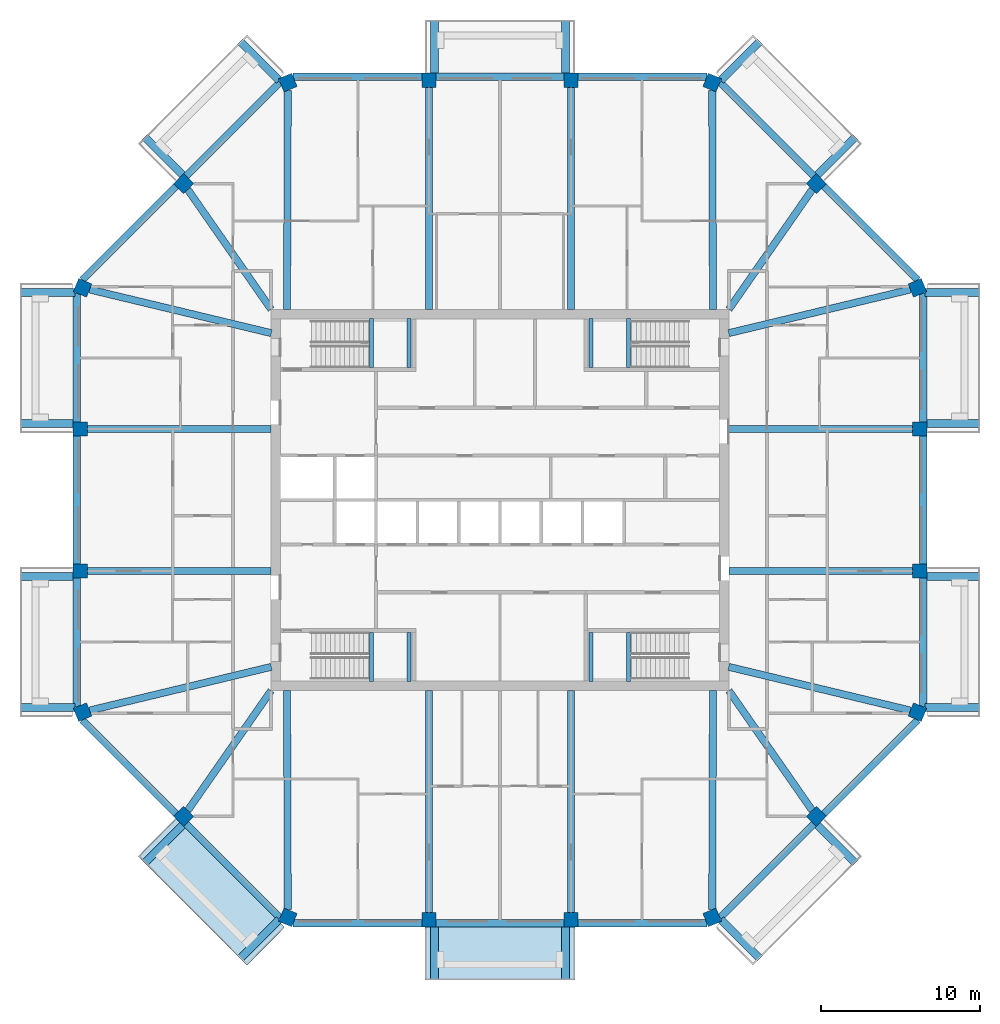
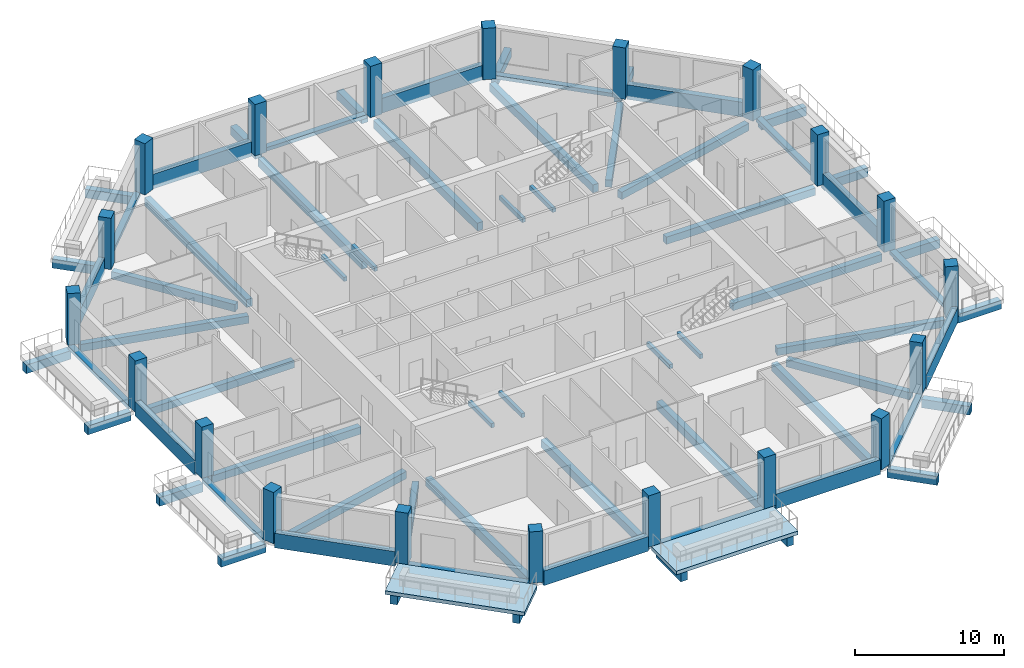
# One storey, part 1 of 12: 68 beams, 20 columns, 2 slabs.
"""IFC4 building model written with IfcOpenShell, lengths in metres."""

from ifc_helpers import new_model, si_unit, direction, frame, origin, origin_2d, place, context, subcontext, project, spatial, polyline, rectangle, outline, extrude, material, layer, layer_set, material_profile, profile_set, type_object, element, save


model = new_model("IFC4")

# Units and contexts
model_context = context("Model", 3, precision=1e-05, world=origin(), true_north=direction((0.0, 1.0)))
body_context = subcontext(model_context, "Body", "Model", "MODEL_VIEW")
ifc_project = project(units=[si_unit("LENGTHUNIT", "METRE"), si_unit("AREAUNIT", "SQUARE_METRE"), si_unit("VOLUMEUNIT", "CUBIC_METRE"), si_unit("PLANEANGLEUNIT", "RADIAN"), si_unit("MASSUNIT", "GRAM", prefix="KILO")], contexts=[model_context])

# Site, building, storey
site_placement = place(None, origin())
site = spatial("IfcSite", under=ifc_project, at=site_placement, CompositionType="ELEMENT")
building_placement = place(site_placement, origin())
building = spatial("IfcBuilding", under=site, at=building_placement, Name="Msitu Wima Residences", CompositionType="ELEMENT")
storey_placement = place(building_placement, frame((0.0, 0.0, 239.10009765625)))
storey = spatial("IfcBuildingStorey", under=building, at=storey_placement, Name="L55", CompositionType="ELEMENT", Elevation=239.10009765625)

# Columns
ifc_material_1 = material(Name="Concrete C50/60", Category="concrete")
ifc_material_profile_1 = material_profile(ifc_material_1, rectangle(XDim=0.89990234375, YDim=0.89990234375, at=origin_2d()), Name="RC 900x900")
ifc_profile_set_1 = profile_set([ifc_material_profile_1], Name="Concrete C50/60")
column_type = type_object("IfcColumnType", Name="Column RC 900x900 Concrete C50/60", PredefinedType="COLUMN", material=ifc_profile_set_1)
for number, where, z_axis, x_axis, name in (
    (1, (26.261962890625, -13.3486328125, 0.0), (0.0, 0.0, 1.0), (0.382683496864, 0.923879505795, 0.0), "Column L55 C-E0"),
    (2, (26.39990234375, -4.46875, 0.0), (0.0, 0.0, 1.0), (0.0, 1.0, 0.0), "Column L55 C-E1"),
    (3, (26.39990234375, 4.46875, 0.0), (0.0, 0.0, 1.0), (0.0, 1.0, 0.0), "Column L55 C-E2"),
    (4, (26.261962890625, 13.3486328125, 0.0), (0.0, 0.0, 1.0), (-0.382683496864, 0.923879505795, 0.0), "Column L55 C-NE0"),
    (5, (19.90283203125, 19.90283203125, 0.0), (0.0, 0.0, 1.0), (-0.707106781187, 0.707106781187, 0.0), "Column L55 C-NE1"),
    (6, (13.3486328125, 26.261962890625, 0.0), (0.0, 0.0, 1.0), (-0.923879505795, 0.382683496864, 0.0), "Column L55 C-N0"),
    (7, (4.46875, 26.39990234375, 0.0), (0.0, 0.0, 1.0), (-1.0, 0.0, 0.0), "Column L55 C-N1"),
    (8, (-4.46875, 26.39990234375, 0.0), (0.0, 0.0, 1.0), (-1.0, 0.0, 0.0), "Column L55 C-N2"),
    (9, (-13.3486328125, 26.261962890625, 0.0), (0.0, 0.0, 1.0), (-0.923879505795, -0.382683496864, 0.0), "Column L55 C-NW0"),
    (10, (-19.90283203125, 19.90283203125, 0.0), (0.0, 0.0, 1.0), (-0.707106781187, -0.707106781187, 0.0), "Column L55 C-NW1"),
    (11, (-26.261962890625, 13.3486328125, 0.0), (0.0, 0.0, 1.0), (-0.382683496864, -0.923879505795, 0.0), "Column L55 C-W0"),
    (12, (-26.39990234375, 4.46875, 0.0), (0.0, 0.0, 1.0), (0.0, -1.0, 0.0), "Column L55 C-W1"),
    (13, (-26.39990234375, -4.46875, 0.0), (0.0, 0.0, 1.0), (0.0, -1.0, 0.0), "Column L55 C-W2"),
    (14, (-26.261962890625, -13.3486328125, 0.0), (0.0, 0.0, 1.0), (0.382683496864, -0.923879505795, 0.0), "Column L55 C-SW0"),
    (15, (-19.90283203125, -19.90283203125, 0.0), (0.0, 0.0, 1.0), (0.707106781187, -0.707106781187, 0.0), "Column L55 C-SW1"),
    (16, (-13.3486328125, -26.261962890625, 0.0), (0.0, 0.0, 1.0), (0.923879505795, -0.382683496864, 0.0), "Column L55 C-S0"),
    (17, (-4.46875, -26.39990234375, 0.0), (0.0, 0.0, 1.0), (1.0, 0.0, 0.0), "Column L55 C-S1"),
    (18, (4.46875, -26.39990234375, 0.0), (0.0, 0.0, 1.0), (1.0, 0.0, 0.0), "Column L55 C-S2"),
    (19, (13.3486328125, -26.261962890625, 0.0), (0.0, 0.0, 1.0), (0.923879505795, 0.382683496864, 0.0), "Column L55 C-SE0"),
    (20, (19.90283203125, -19.90283203125, 0.0), (0.0, 0.0, 1.0), (0.707106781187, 0.707106781187, 0.0), "Column L55 C-SE1"),
):
    element("IfcColumn", number, at=place(storey_placement, frame(where, z_axis=z_axis, x_axis=x_axis)), inside=storey, type_object=column_type, Name=name, PredefinedType="COLUMN", context=body_context, shape_type="SweptSolid", body=[
        extrude(rectangle(XDim=0.89990234375, YDim=0.89990234375, at=origin_2d()), origin(), (0.0, 0.0, 1.0), 4.199951171875),
    ])

# Beams
ifc_material_profile_2 = material_profile(ifc_material_1, rectangle(XDim=0.449951171875, YDim=0.60009765625, at=origin_2d()), Name="RC 450x600")
ifc_profile_set_2 = profile_set([ifc_material_profile_2], Name="Concrete C50/60")
beam_type_1 = type_object("IfcBeamType", Name="Beam RC 450x600 Concrete C50/60", PredefinedType="BEAM", material=ifc_profile_set_2)
beam_1_placement = place(storey_placement, frame((25.819091796875, -13.242431640625, -0.550048828125), z_axis=(-0.972353359268, 0.233514335148, 0.0), x_axis=(-0.233514335148, -0.972353359268, 0.0)))
element("IfcBeam", 21, at=beam_1_placement, inside=storey, type_object=beam_type_1, Name="Beam L55 C-E0", PredefinedType="BEAM", context=body_context, shape_type="SweptSolid", body=[
    extrude(rectangle(XDim=0.449951171875, YDim=0.60009765625, at=origin_2d()), origin(), (0.0, 0.0, 1.0), 11.755615234375),
])
for number, where, z_axis, x_axis, name in (
    (22, (25.949951171875, -4.46875, -0.550048828125), (-1.0, 0.0, 0.0), (0.0, -1.0, 0.0), "Beam L55 C-E1"),
    (23, (25.949951171875, 4.46875, -0.550048828125), (-1.0, 0.0, 0.0), (0.0, -1.0, 0.0), "Beam L55 C-E2"),
):
    element("IfcBeam", number, at=place(storey_placement, frame(where, z_axis=z_axis, x_axis=x_axis)), inside=storey, type_object=beam_type_1, Name=name, PredefinedType="BEAM", context=body_context, shape_type="SweptSolid", body=[
        extrude(rectangle(XDim=0.449951171875, YDim=0.60009765625, at=origin_2d()), origin(), (0.0, 0.0, 1.0), 11.550048828125),
    ])
beam_2_placement = place(storey_placement, frame((25.819091796875, 13.242431640625, -0.550048828125), z_axis=(-0.972353359268, -0.233514335148, 0.0), x_axis=(0.233514335148, -0.972353359268, 0.0)))
element("IfcBeam", 24, at=beam_2_placement, inside=storey, type_object=beam_type_1, Name="Beam L55 C-NE0", PredefinedType="BEAM", context=body_context, shape_type="SweptSolid", body=[
    extrude(rectangle(XDim=0.449951171875, YDim=0.60009765625, at=origin_2d()), origin(), (0.0, 0.0, 1.0), 11.755615234375),
])
for number, where, z_axis, x_axis, name in (
    (25, (19.6416015625, 19.52783203125, -0.550048828125), (-0.571427822633, -0.820652328042, 0.0), (0.820652328042, -0.571427822633, 0.0), "Beam L55 C-NE1"),
    (26, (-19.6416015625, 19.52783203125, -0.550048828125), (0.571427822633, -0.820652328042, 0.0), (0.820652328042, 0.571427822633, 0.0), "Beam L55 C-NW1"),
):
    element("IfcBeam", number, at=place(storey_placement, frame(where, z_axis=z_axis, x_axis=x_axis)), inside=storey, type_object=beam_type_1, Name=name, PredefinedType="BEAM", context=body_context, shape_type="SweptSolid", body=[
        extrude(rectangle(XDim=0.449951171875, YDim=0.60009765625, at=origin_2d()), origin(), (0.0, 0.0, 1.0), 9.173095703125),
    ])
beam_3_placement = place(storey_placement, frame((-25.819091796875, 13.242431640625, -0.550048828125), z_axis=(0.972353359268, -0.233514335148, 0.0), x_axis=(0.233514335148, 0.972353359268, 0.0)))
element("IfcBeam", 27, at=beam_3_placement, inside=storey, type_object=beam_type_1, Name="Beam L55 C-W0", PredefinedType="BEAM", context=body_context, shape_type="SweptSolid", body=[
    extrude(rectangle(XDim=0.449951171875, YDim=0.60009765625, at=origin_2d()), origin(), (0.0, 0.0, 1.0), 11.755615234375),
])
for number, where, z_axis, x_axis, name in (
    (28, (-25.949951171875, 4.46875, -0.550048828125), (1.0, 0.0, 0.0), (0.0, 1.0, 0.0), "Beam L55 C-W1"),
    (29, (-25.949951171875, -4.46875, -0.550048828125), (1.0, 0.0, 0.0), (0.0, 1.0, 0.0), "Beam L55 C-W2"),
):
    element("IfcBeam", number, at=place(storey_placement, frame(where, z_axis=z_axis, x_axis=x_axis)), inside=storey, type_object=beam_type_1, Name=name, PredefinedType="BEAM", context=body_context, shape_type="SweptSolid", body=[
        extrude(rectangle(XDim=0.449951171875, YDim=0.60009765625, at=origin_2d()), origin(), (0.0, 0.0, 1.0), 11.550048828125),
    ])
beam_4_placement = place(storey_placement, frame((-25.819091796875, -13.242431640625, -0.550048828125), z_axis=(0.972353359268, 0.233514335148, 0.0), x_axis=(-0.233514335148, 0.972353359268, 0.0)))
element("IfcBeam", 30, at=beam_4_placement, inside=storey, type_object=beam_type_1, Name="Beam L55 C-SW0", PredefinedType="BEAM", context=body_context, shape_type="SweptSolid", body=[
    extrude(rectangle(XDim=0.449951171875, YDim=0.60009765625, at=origin_2d()), origin(), (0.0, 0.0, 1.0), 11.755615234375),
])
for number, where, z_axis, x_axis, name in (
    (31, (-19.6416015625, -19.52783203125, -0.550048828125), (0.571427822633, 0.820652328042, 0.0), (-0.820652328042, 0.571427822633, 0.0), "Beam L55 C-SW1"),
    (32, (19.6416015625, -19.52783203125, -0.550048828125), (-0.571427822633, 0.820652328042, 0.0), (-0.820652328042, -0.571427822633, 0.0), "Beam L55 C-SE1"),
):
    element("IfcBeam", number, at=place(storey_placement, frame(where, z_axis=z_axis, x_axis=x_axis)), inside=storey, type_object=beam_type_1, Name=name, PredefinedType="BEAM", context=body_context, shape_type="SweptSolid", body=[
        extrude(rectangle(XDim=0.449951171875, YDim=0.60009765625, at=origin_2d()), origin(), (0.0, 0.0, 1.0), 9.173095703125),
    ])
ifc_material_profile_3 = material_profile(ifc_material_1, rectangle(XDim=0.449951171875, YDim=0.64990234375, at=origin_2d()), Name="RC 450x650")
ifc_profile_set_3 = profile_set([ifc_material_profile_3], Name="Concrete C50/60")
beam_type_2 = type_object("IfcBeamType", Name="Beam RC 450x650 Concrete C50/60", PredefinedType="BEAM", material=ifc_profile_set_3)
beam_5_placement = place(storey_placement, frame((13.3505859375, 25.774169921875, -0.5751953125), z_axis=(0.003594933206, -0.999993538207, 0.0), x_axis=(0.999993538207, 0.003594933206, 0.0)))
element("IfcBeam", 33, at=beam_5_placement, inside=storey, type_object=beam_type_2, Name="Beam L55 C-N0", PredefinedType="BEAM", context=body_context, shape_type="SweptSolid", body=[
    extrude(rectangle(XDim=0.449951171875, YDim=0.64990234375, at=origin_2d()), origin(), (0.0, 0.0, 1.0), 13.7861328125),
])
for number, where, z_axis, x_axis, name in (
    (34, (4.46875, 25.949951171875, -0.5751953125), (0.0, -1.0, 0.0), (1.0, 0.0, 0.0), "Beam L55 C-N1"),
    (35, (-4.46875, 25.949951171875, -0.5751953125), (0.0, -1.0, 0.0), (1.0, 0.0, 0.0), "Beam L55 C-N2"),
):
    element("IfcBeam", number, at=place(storey_placement, frame(where, z_axis=z_axis, x_axis=x_axis)), inside=storey, type_object=beam_type_2, Name=name, PredefinedType="BEAM", context=body_context, shape_type="SweptSolid", body=[
        extrude(rectangle(XDim=0.449951171875, YDim=0.64990234375, at=origin_2d()), origin(), (0.0, 0.0, 1.0), 13.949951171875),
    ])
for number, where, z_axis, x_axis, name in (
    (36, (-13.3505859375, 25.774169921875, -0.5751953125), (-0.003594933206, -0.999993538207, 0.0), (0.999993538207, -0.003594933206, 0.0), "Beam L55 C-NW0"),
    (37, (-13.3505859375, -25.774169921875, -0.5751953125), (-0.003594933206, 0.999993538207, 0.0), (-0.999993538207, -0.003594933206, 0.0), "Beam L55 C-S0"),
):
    element("IfcBeam", number, at=place(storey_placement, frame(where, z_axis=z_axis, x_axis=x_axis)), inside=storey, type_object=beam_type_2, Name=name, PredefinedType="BEAM", context=body_context, shape_type="SweptSolid", body=[
        extrude(rectangle(XDim=0.449951171875, YDim=0.64990234375, at=origin_2d()), origin(), (0.0, 0.0, 1.0), 13.7861328125),
    ])
for number, where, z_axis, x_axis, name in (
    (38, (-4.46875, -25.949951171875, -0.5751953125), (0.0, 1.0, 0.0), (-1.0, 0.0, 0.0), "Beam L55 C-S1"),
    (39, (4.46875, -25.949951171875, -0.5751953125), (0.0, 1.0, 0.0), (-1.0, 0.0, 0.0), "Beam L55 C-S2"),
):
    element("IfcBeam", number, at=place(storey_placement, frame(where, z_axis=z_axis, x_axis=x_axis)), inside=storey, type_object=beam_type_2, Name=name, PredefinedType="BEAM", context=body_context, shape_type="SweptSolid", body=[
        extrude(rectangle(XDim=0.449951171875, YDim=0.64990234375, at=origin_2d()), origin(), (0.0, 0.0, 1.0), 13.949951171875),
    ])
beam_6_placement = place(storey_placement, frame((13.3505859375, -25.774169921875, -0.5751953125), z_axis=(0.003594933206, 0.999993538207, 0.0), x_axis=(-0.999993538207, 0.003594933206, 0.0)))
element("IfcBeam", 40, at=beam_6_placement, inside=storey, type_object=beam_type_2, Name="Beam L55 C-SE0", PredefinedType="BEAM", context=body_context, shape_type="SweptSolid", body=[
    extrude(rectangle(XDim=0.449951171875, YDim=0.64990234375, at=origin_2d()), origin(), (0.0, 0.0, 1.0), 13.7861328125),
])
ifc_material_profile_4 = material_profile(ifc_material_1, rectangle(XDim=0.5, YDim=0.699951171875, at=origin_2d()), Name="RC 500x700")
ifc_profile_set_4 = profile_set([ifc_material_profile_4], Name="Concrete C50/60")
beam_type_3 = type_object("IfcBeamType", Name="Cantilever beam RC 500x700 Concrete C50/60", PredefinedType="BEAM", material=ifc_profile_set_4)
beam_7_placement = place(storey_placement, frame((26.73095703125, -13.055908203125, -0.650146484375), z_axis=(1.0, 0.0, 0.0), x_axis=(0.0, 1.0, 0.0)))
element("IfcBeam", 41, at=beam_7_placement, inside=storey, type_object=beam_type_3, Name="Cantilever beam L55 BA-E0 A", PredefinedType="BEAM", context=body_context, shape_type="SweptSolid", body=[
    extrude(rectangle(XDim=0.5, YDim=0.699951171875, at=origin_2d()), origin(), (0.0, 0.0, 1.0), 3.468994140625),
])
for number, where, z_axis, x_axis, name in (
    (42, (26.85009765625, -4.818603515625, -0.650146484375), (1.0, 0.0, 0.0), (0.0, 1.0, 0.0), "Cantilever beam L55 BA-E0 B"),
    (43, (26.85009765625, 4.818603515625, -0.650146484375), (1.0, 0.0, 0.0), (0.0, 1.0, 0.0), "Cantilever beam L55 BA-E2 A"),
):
    element("IfcBeam", number, at=place(storey_placement, frame(where, z_axis=z_axis, x_axis=x_axis)), inside=storey, type_object=beam_type_3, Name=name, PredefinedType="BEAM", context=body_context, shape_type="SweptSolid", body=[
        extrude(rectangle(XDim=0.5, YDim=0.699951171875, at=origin_2d()), origin(), (0.0, 0.0, 1.0), 3.349853515625),
    ])
beam_8_placement = place(storey_placement, frame((26.73095703125, 13.055908203125, -0.650146484375), z_axis=(1.0, 0.0, 0.0), x_axis=(0.0, 1.0, 0.0)))
element("IfcBeam", 44, at=beam_8_placement, inside=storey, type_object=beam_type_3, Name="Cantilever beam L55 BA-E2 B", PredefinedType="BEAM", context=body_context, shape_type="SweptSolid", body=[
    extrude(rectangle(XDim=0.5, YDim=0.699951171875, at=origin_2d()), origin(), (0.0, 0.0, 1.0), 3.468994140625),
])
beam_9_placement = place(storey_placement, frame((19.9736328125, 20.46875, -0.650146484375), z_axis=(0.707143219659, 0.707070340836, 0.0), x_axis=(-0.707070340836, 0.707143219659, 0.0)))
element("IfcBeam", 45, at=beam_9_placement, inside=storey, type_object=beam_type_3, Name="Cantilever beam L55 BA-NE1 A", PredefinedType="BEAM", context=body_context, shape_type="SweptSolid", body=[
    extrude(rectangle(XDim=0.5, YDim=0.699951171875, at=origin_2d()), origin(), (0.0, 0.0, 1.0), 3.349853515625),
])
beam_10_placement = place(storey_placement, frame((13.887451171875, 26.386474609375, -0.650146484375), z_axis=(0.707071592116, 0.707141968506, 0.0), x_axis=(-0.707141968506, 0.707071592116, 0.0)))
element("IfcBeam", 46, at=beam_10_placement, inside=storey, type_object=beam_type_3, Name="Cantilever beam L55 BA-NE1 B", PredefinedType="BEAM", context=body_context, shape_type="SweptSolid", body=[
    extrude(rectangle(XDim=0.5, YDim=0.699951171875, at=origin_2d()), origin(), (0.0, 0.0, 1.0), 3.468994140625),
])
for number, where, z_axis, x_axis, name in (
    (47, (4.11865234375, 26.85009765625, -0.650146484375), (0.0, 1.0, 0.0), (-1.0, 0.0, 0.0), "Cantilever beam L55 BA-N1 A"),
    (48, (-4.11865234375, 26.85009765625, -0.650146484375), (0.0, 1.0, 0.0), (-1.0, 0.0, 0.0), "Cantilever beam L55 BA-N1 B"),
):
    element("IfcBeam", number, at=place(storey_placement, frame(where, z_axis=z_axis, x_axis=x_axis)), inside=storey, type_object=beam_type_3, Name=name, PredefinedType="BEAM", context=body_context, shape_type="SweptSolid", body=[
        extrude(rectangle(XDim=0.5, YDim=0.699951171875, at=origin_2d()), origin(), (0.0, 0.0, 1.0), 3.349853515625),
    ])
beam_11_placement = place(storey_placement, frame((-13.887451171875, 26.386474609375, -0.650146484375), z_axis=(-0.707071592116, 0.707141968506, 0.0), x_axis=(-0.707141968506, -0.707071592116, 0.0)))
element("IfcBeam", 49, at=beam_11_placement, inside=storey, type_object=beam_type_3, Name="Cantilever beam L55 BA-NW0 A", PredefinedType="BEAM", context=body_context, shape_type="SweptSolid", body=[
    extrude(rectangle(XDim=0.5, YDim=0.699951171875, at=origin_2d()), origin(), (0.0, 0.0, 1.0), 3.468994140625),
])
beam_12_placement = place(storey_placement, frame((-19.9736328125, 20.46875, -0.650146484375), z_axis=(-0.707143219659, 0.707070340836, 0.0), x_axis=(-0.707070340836, -0.707143219659, 0.0)))
element("IfcBeam", 50, at=beam_12_placement, inside=storey, type_object=beam_type_3, Name="Cantilever beam L55 BA-NW0 B", PredefinedType="BEAM", context=body_context, shape_type="SweptSolid", body=[
    extrude(rectangle(XDim=0.5, YDim=0.699951171875, at=origin_2d()), origin(), (0.0, 0.0, 1.0), 3.349853515625),
])
beam_13_placement = place(storey_placement, frame((-26.73095703125, 13.055908203125, -0.650146484375), z_axis=(-1.0, 0.0, 0.0), x_axis=(0.0, -1.0, 0.0)))
element("IfcBeam", 51, at=beam_13_placement, inside=storey, type_object=beam_type_3, Name="Cantilever beam L55 BA-W0 A", PredefinedType="BEAM", context=body_context, shape_type="SweptSolid", body=[
    extrude(rectangle(XDim=0.5, YDim=0.699951171875, at=origin_2d()), origin(), (0.0, 0.0, 1.0), 3.468994140625),
])
for number, where, z_axis, x_axis, name in (
    (52, (-26.85009765625, 4.818603515625, -0.650146484375), (-1.0, 0.0, 0.0), (0.0, -1.0, 0.0), "Cantilever beam L55 BA-W0 B"),
    (53, (-26.85009765625, -4.818603515625, -0.650146484375), (-1.0, 0.0, 0.0), (0.0, -1.0, 0.0), "Cantilever beam L55 BA-W2 A"),
):
    element("IfcBeam", number, at=place(storey_placement, frame(where, z_axis=z_axis, x_axis=x_axis)), inside=storey, type_object=beam_type_3, Name=name, PredefinedType="BEAM", context=body_context, shape_type="SweptSolid", body=[
        extrude(rectangle(XDim=0.5, YDim=0.699951171875, at=origin_2d()), origin(), (0.0, 0.0, 1.0), 3.349853515625),
    ])
beam_14_placement = place(storey_placement, frame((-26.73095703125, -13.055908203125, -0.650146484375), z_axis=(-1.0, 0.0, 0.0), x_axis=(0.0, -1.0, 0.0)))
element("IfcBeam", 54, at=beam_14_placement, inside=storey, type_object=beam_type_3, Name="Cantilever beam L55 BA-W2 B", PredefinedType="BEAM", context=body_context, shape_type="SweptSolid", body=[
    extrude(rectangle(XDim=0.5, YDim=0.699951171875, at=origin_2d()), origin(), (0.0, 0.0, 1.0), 3.468994140625),
])
beam_15_placement = place(storey_placement, frame((-19.9736328125, -20.46875, -0.650146484375), z_axis=(-0.707143219659, -0.707070340836, 0.0), x_axis=(0.707070340836, -0.707143219659, 0.0)))
element("IfcBeam", 55, at=beam_15_placement, inside=storey, type_object=beam_type_3, Name="Cantilever beam L55 BA-SW1 A", PredefinedType="BEAM", context=body_context, shape_type="SweptSolid", body=[
    extrude(rectangle(XDim=0.5, YDim=0.699951171875, at=origin_2d()), origin(), (0.0, 0.0, 1.0), 3.349853515625),
])
beam_16_placement = place(storey_placement, frame((-13.887451171875, -26.386474609375, -0.650146484375), z_axis=(-0.707071592116, -0.707141968506, 0.0), x_axis=(0.707141968506, -0.707071592116, 0.0)))
element("IfcBeam", 56, at=beam_16_placement, inside=storey, type_object=beam_type_3, Name="Cantilever beam L55 BA-SW1 B", PredefinedType="BEAM", context=body_context, shape_type="SweptSolid", body=[
    extrude(rectangle(XDim=0.5, YDim=0.699951171875, at=origin_2d()), origin(), (0.0, 0.0, 1.0), 3.468994140625),
])
for number, where, z_axis, x_axis, name in (
    (57, (-4.11865234375, -26.85009765625, -0.650146484375), (0.0, -1.0, 0.0), (1.0, 0.0, 0.0), "Cantilever beam L55 BA-S1 A"),
    (58, (4.11865234375, -26.85009765625, -0.650146484375), (0.0, -1.0, 0.0), (1.0, 0.0, 0.0), "Cantilever beam L55 BA-S1 B"),
):
    element("IfcBeam", number, at=place(storey_placement, frame(where, z_axis=z_axis, x_axis=x_axis)), inside=storey, type_object=beam_type_3, Name=name, PredefinedType="BEAM", context=body_context, shape_type="SweptSolid", body=[
        extrude(rectangle(XDim=0.5, YDim=0.699951171875, at=origin_2d()), origin(), (0.0, 0.0, 1.0), 3.349853515625),
    ])
beam_17_placement = place(storey_placement, frame((13.887451171875, -26.386474609375, -0.650146484375), z_axis=(0.707071592116, -0.707141968506, 0.0), x_axis=(0.707141968506, 0.707071592116, 0.0)))
element("IfcBeam", 59, at=beam_17_placement, inside=storey, type_object=beam_type_3, Name="Cantilever beam L55 BA-SE0 A", PredefinedType="BEAM", context=body_context, shape_type="SweptSolid", body=[
    extrude(rectangle(XDim=0.5, YDim=0.699951171875, at=origin_2d()), origin(), (0.0, 0.0, 1.0), 3.468994140625),
])
beam_18_placement = place(storey_placement, frame((19.9736328125, -20.46875, -0.650146484375), z_axis=(0.707143219659, -0.707070340836, 0.0), x_axis=(0.707070340836, 0.707143219659, 0.0)))
element("IfcBeam", 60, at=beam_18_placement, inside=storey, type_object=beam_type_3, Name="Cantilever beam L55 BA-SE0 B", PredefinedType="BEAM", context=body_context, shape_type="SweptSolid", body=[
    extrude(rectangle(XDim=0.5, YDim=0.699951171875, at=origin_2d()), origin(), (0.0, 0.0, 1.0), 3.349853515625),
])
ifc_material_profile_5 = material_profile(ifc_material_1, rectangle(XDim=0.449951171875, YDim=0.300048828125, at=origin_2d()), Name="RC 450x300")
ifc_profile_set_5 = profile_set([ifc_material_profile_5], Name="Concrete C50/60")
beam_type_4 = type_object("IfcBeamType", Name="Edge beam RC 450x300 Concrete C50/60", PredefinedType="SPANDREL", material=ifc_profile_set_5)
for number, where, z_axis, x_axis, name in (
    (61, (26.625, -13.02392578125, -0.150146484375), (0.0, 1.0, 0.0), (-1.0, 0.0, 0.0), "Spandrel L55 E0"),
    (62, (26.625, 4.918701171875, -0.150146484375), (0.0, 1.0, 0.0), (-1.0, 0.0, 0.0), "Spandrel L55 E2"),
):
    element("IfcBeam", number, at=place(storey_placement, frame(where, z_axis=z_axis, x_axis=x_axis)), inside=storey, type_object=beam_type_4, Name=name, PredefinedType="SPANDREL", context=body_context, shape_type="SweptSolid", body=[
        extrude(rectangle(XDim=0.449951171875, YDim=0.300048828125, at=origin_2d()), origin(), (0.0, 0.0, 1.0), 8.105224609375),
    ])
beam_19_placement = place(storey_placement, frame((19.743896484375, 20.380126953125, -0.150146484375), z_axis=(-0.707106781187, 0.707106781187, 0.0), x_axis=(-0.707106781187, -0.707106781187, 0.0)))
element("IfcBeam", 63, at=beam_19_placement, inside=storey, type_object=beam_type_4, Name="Spandrel L55 NE1", PredefinedType="SPANDREL", context=body_context, shape_type="SweptSolid", body=[
    extrude(rectangle(XDim=0.449951171875, YDim=0.300048828125, at=origin_2d()), origin(), (0.0, 0.0, 1.0), 8.3564453125),
])
beam_20_placement = place(storey_placement, frame((4.0185546875, 26.625, -0.150146484375), z_axis=(-1.0, 0.0, 0.0), x_axis=(0.0, -1.0, 0.0)))
element("IfcBeam", 64, at=beam_20_placement, inside=storey, type_object=beam_type_4, Name="Spandrel L55 N1", PredefinedType="SPANDREL", context=body_context, shape_type="SweptSolid", body=[
    extrude(rectangle(XDim=0.449951171875, YDim=0.300048828125, at=origin_2d()), origin(), (0.0, 0.0, 1.0), 8.037109375),
])
beam_21_placement = place(storey_placement, frame((-13.8349609375, 26.2890625, -0.150146484375), z_axis=(-0.707106781187, -0.707106781187, 0.0), x_axis=(0.707106781187, -0.707106781187, 0.0)))
element("IfcBeam", 65, at=beam_21_placement, inside=storey, type_object=beam_type_4, Name="Spandrel L55 NW0", PredefinedType="SPANDREL", context=body_context, shape_type="SweptSolid", body=[
    extrude(rectangle(XDim=0.449951171875, YDim=0.300048828125, at=origin_2d()), origin(), (0.0, 0.0, 1.0), 8.3564453125),
])
for number, where, z_axis, x_axis, name in (
    (66, (-26.625, 13.02392578125, -0.150146484375), (0.0, -1.0, 0.0), (1.0, 0.0, 0.0), "Spandrel L55 W0"),
    (67, (-26.625, -4.918701171875, -0.150146484375), (0.0, -1.0, 0.0), (1.0, 0.0, 0.0), "Spandrel L55 W2"),
):
    element("IfcBeam", number, at=place(storey_placement, frame(where, z_axis=z_axis, x_axis=x_axis)), inside=storey, type_object=beam_type_4, Name=name, PredefinedType="SPANDREL", context=body_context, shape_type="SweptSolid", body=[
        extrude(rectangle(XDim=0.449951171875, YDim=0.300048828125, at=origin_2d()), origin(), (0.0, 0.0, 1.0), 8.105224609375),
    ])
beam_22_placement = place(storey_placement, frame((-19.743896484375, -20.380126953125, -0.150146484375), z_axis=(0.707106781187, -0.707106781187, 0.0), x_axis=(0.707106781187, 0.707106781187, 0.0)))
element("IfcBeam", 68, at=beam_22_placement, inside=storey, type_object=beam_type_4, Name="Spandrel L55 SW1", PredefinedType="SPANDREL", context=body_context, shape_type="SweptSolid", body=[
    extrude(rectangle(XDim=0.449951171875, YDim=0.300048828125, at=origin_2d()), origin(), (0.0, 0.0, 1.0), 8.3564453125),
])
beam_23_placement = place(storey_placement, frame((-4.0185546875, -26.625, -0.150146484375), z_axis=(1.0, 0.0, 0.0), x_axis=(0.0, 1.0, 0.0)))
element("IfcBeam", 69, at=beam_23_placement, inside=storey, type_object=beam_type_4, Name="Spandrel L55 S1", PredefinedType="SPANDREL", context=body_context, shape_type="SweptSolid", body=[
    extrude(rectangle(XDim=0.449951171875, YDim=0.300048828125, at=origin_2d()), origin(), (0.0, 0.0, 1.0), 8.037109375),
])
beam_24_placement = place(storey_placement, frame((13.8349609375, -26.2890625, -0.150146484375), z_axis=(0.707106781187, 0.707106781187, 0.0), x_axis=(-0.707106781187, 0.707106781187, 0.0)))
element("IfcBeam", 70, at=beam_24_placement, inside=storey, type_object=beam_type_4, Name="Spandrel L55 SE0", PredefinedType="SPANDREL", context=body_context, shape_type="SweptSolid", body=[
    extrude(rectangle(XDim=0.449951171875, YDim=0.300048828125, at=origin_2d()), origin(), (0.0, 0.0, 1.0), 8.3564453125),
])
ifc_material_2 = material(Name="Concrete C40/50", Category="concrete")
ifc_material_profile_6 = material_profile(ifc_material_2, rectangle(XDim=0.25, YDim=0.35009765625, at=origin_2d()), Name="RC 250x350")
ifc_profile_set_6 = profile_set([ifc_material_profile_6], Name="Concrete C40/50")
beam_type_5 = type_object("IfcBeamType", Name="Landing beam RC 250x350", PredefinedType="BEAM", material=ifc_profile_set_6)
for number, where, z_axis, x_axis, name in (
    (71, (-8.074951171875, 8.324951171875, 1.724853515625), (0.0, 1.0, 0.0), (-1.0, 0.0, 0.0), "Stair 1 landing beam"),
    (72, (-5.72509765625, 8.324951171875, 1.724853515625), (0.0, 1.0, 0.0), (-1.0, 0.0, 0.0), "Stair 1 landing beam"),
    (73, (-8.074951171875, -11.425048828125, 1.724853515625), (0.0, 1.0, 0.0), (-1.0, 0.0, 0.0), "Stair 2 landing beam"),
    (74, (-5.72509765625, -11.425048828125, 1.724853515625), (0.0, 1.0, 0.0), (-1.0, 0.0, 0.0), "Stair 2 landing beam"),
    (75, (8.074951171875, 8.324951171875, 1.724853515625), (0.0, 1.0, 0.0), (-1.0, 0.0, 0.0), "Stair 3 landing beam"),
    (76, (5.72509765625, 8.324951171875, 1.724853515625), (0.0, 1.0, 0.0), (-1.0, 0.0, 0.0), "Stair 3 landing beam"),
    (77, (8.074951171875, -11.425048828125, 1.724853515625), (0.0, 1.0, 0.0), (-1.0, 0.0, 0.0), "Stair 4 landing beam"),
    (78, (5.72509765625, -11.425048828125, 1.724853515625), (0.0, 1.0, 0.0), (-1.0, 0.0, 0.0), "Stair 4 landing beam"),
):
    element("IfcBeam", number, at=place(storey_placement, frame(where, z_axis=z_axis, x_axis=x_axis)), inside=storey, type_object=beam_type_5, Name=name, PredefinedType="BEAM", context=body_context, shape_type="SweptSolid", body=[
        extrude(rectangle(XDim=0.25, YDim=0.35009765625, at=origin_2d()), origin(), (0.0, 0.0, 1.0), 3.10009765625),
    ])
ifc_material_profile_7 = material_profile(ifc_material_1, rectangle(XDim=0.449951171875, YDim=1.199951171875, at=origin_2d()), Name="RC 450x1200")
ifc_profile_set_7 = profile_set([ifc_material_profile_7], Name="Concrete C50/60")
beam_type_6 = type_object("IfcBeamType", Name="Spandrel RC 450x1200 Concrete C50/60", PredefinedType="SPANDREL", material=ifc_profile_set_7)
beam_25_placement = place(storey_placement, frame((26.625, -4.0185546875, 0.2998046875), z_axis=(0.0, 1.0, 0.0), x_axis=(-1.0, 0.0, 0.0)))
element("IfcBeam", 79, at=beam_25_placement, inside=storey, type_object=beam_type_6, Name="Spandrel L55 E1", PredefinedType="SPANDREL", context=body_context, shape_type="SweptSolid", body=[
    extrude(rectangle(XDim=0.449951171875, YDim=1.199951171875, at=origin_2d()), origin(), (0.0, 0.0, 1.0), 8.037109375),
])
beam_26_placement = place(storey_placement, frame((26.2890625, 13.8349609375, 0.2998046875), z_axis=(-0.707106781187, 0.707106781187, 0.0), x_axis=(-0.707106781187, -0.707106781187, 0.0)))
element("IfcBeam", 80, at=beam_26_placement, inside=storey, type_object=beam_type_6, Name="Spandrel L55 NE0", PredefinedType="SPANDREL", context=body_context, shape_type="SweptSolid", body=[
    extrude(rectangle(XDim=0.449951171875, YDim=1.199951171875, at=origin_2d()), origin(), (0.0, 0.0, 1.0), 8.3564453125),
])
for number, where, z_axis, x_axis, name in (
    (81, (13.02392578125, 26.625, 0.2998046875), (-1.0, 0.0, 0.0), (0.0, -1.0, 0.0), "Spandrel L55 N0"),
    (82, (-4.918701171875, 26.625, 0.2998046875), (-1.0, 0.0, 0.0), (0.0, -1.0, 0.0), "Spandrel L55 N2"),
):
    element("IfcBeam", number, at=place(storey_placement, frame(where, z_axis=z_axis, x_axis=x_axis)), inside=storey, type_object=beam_type_6, Name=name, PredefinedType="SPANDREL", context=body_context, shape_type="SweptSolid", body=[
        extrude(rectangle(XDim=0.449951171875, YDim=1.199951171875, at=origin_2d()), origin(), (0.0, 0.0, 1.0), 8.105224609375),
    ])
beam_27_placement = place(storey_placement, frame((-20.380126953125, 19.743896484375, 0.2998046875), z_axis=(-0.707106781187, -0.707106781187, 0.0), x_axis=(0.707106781187, -0.707106781187, 0.0)))
element("IfcBeam", 83, at=beam_27_placement, inside=storey, type_object=beam_type_6, Name="Spandrel L55 NW1", PredefinedType="SPANDREL", context=body_context, shape_type="SweptSolid", body=[
    extrude(rectangle(XDim=0.449951171875, YDim=1.199951171875, at=origin_2d()), origin(), (0.0, 0.0, 1.0), 8.3564453125),
])
beam_28_placement = place(storey_placement, frame((-26.625, 4.0185546875, 0.2998046875), z_axis=(0.0, -1.0, 0.0), x_axis=(1.0, 0.0, 0.0)))
element("IfcBeam", 84, at=beam_28_placement, inside=storey, type_object=beam_type_6, Name="Spandrel L55 W1", PredefinedType="SPANDREL", context=body_context, shape_type="SweptSolid", body=[
    extrude(rectangle(XDim=0.449951171875, YDim=1.199951171875, at=origin_2d()), origin(), (0.0, 0.0, 1.0), 8.037109375),
])
beam_29_placement = place(storey_placement, frame((-26.2890625, -13.8349609375, 0.2998046875), z_axis=(0.707106781187, -0.707106781187, 0.0), x_axis=(0.707106781187, 0.707106781187, 0.0)))
element("IfcBeam", 85, at=beam_29_placement, inside=storey, type_object=beam_type_6, Name="Spandrel L55 SW0", PredefinedType="SPANDREL", context=body_context, shape_type="SweptSolid", body=[
    extrude(rectangle(XDim=0.449951171875, YDim=1.199951171875, at=origin_2d()), origin(), (0.0, 0.0, 1.0), 8.3564453125),
])
for number, where, z_axis, x_axis, name in (
    (86, (-13.02392578125, -26.625, 0.2998046875), (1.0, 0.0, 0.0), (0.0, 1.0, 0.0), "Spandrel L55 S0"),
    (87, (4.918701171875, -26.625, 0.2998046875), (1.0, 0.0, 0.0), (0.0, 1.0, 0.0), "Spandrel L55 S2"),
):
    element("IfcBeam", number, at=place(storey_placement, frame(where, z_axis=z_axis, x_axis=x_axis)), inside=storey, type_object=beam_type_6, Name=name, PredefinedType="SPANDREL", context=body_context, shape_type="SweptSolid", body=[
        extrude(rectangle(XDim=0.449951171875, YDim=1.199951171875, at=origin_2d()), origin(), (0.0, 0.0, 1.0), 8.105224609375),
    ])
beam_30_placement = place(storey_placement, frame((20.380126953125, -19.743896484375, 0.2998046875), z_axis=(0.707106781187, 0.707106781187, 0.0), x_axis=(-0.707106781187, 0.707106781187, 0.0)))
element("IfcBeam", 88, at=beam_30_placement, inside=storey, type_object=beam_type_6, Name="Spandrel L55 SE1", PredefinedType="SPANDREL", context=body_context, shape_type="SweptSolid", body=[
    extrude(rectangle(XDim=0.449951171875, YDim=1.199951171875, at=origin_2d()), origin(), (0.0, 0.0, 1.0), 8.3564453125),
])

# Slabs
ifc_layer = layer(ifc_material_2, 0.300048828125)
ifc_layer_set = layer_set([ifc_layer], Name="Concrete C40/50")
slab_type = type_object("IfcSlabType", Name="Balcony slab BS300", PredefinedType="FLOOR", material=ifc_layer_set)
slab_1_placement = place(storey_placement, frame((0.0, 0.0, -0.300048828125)))
element("IfcSlab", 89, at=slab_1_placement, inside=storey, type_object=slab_type, Name="Balcony SW1 L55", PredefinedType="FLOOR", context=body_context, shape_type="SweptSolid", body=[
    extrude(outline(polyline([(-13.936767578125, -26.505615234375), (-13.936767578125, -26.505615234375), (-13.59228515625, -26.85009765625), (-13.656005859375, -27.003662109375), (-15.916015625, -29.263671875), (-22.766845703125, -22.4130859375), (-20.39794921875, -20.04443359375), (-13.936767578125, -26.505615234375), (-13.936767578125, -26.505615234375)])), origin(), (0.0, 0.0, 1.0), 0.300048828125),
])
slab_2_placement = place(storey_placement, frame((0.0, 0.0, -0.300048828125)))
element("IfcSlab", 90, at=slab_2_placement, inside=storey, type_object=slab_type, Name="Balcony S1 L55", PredefinedType="FLOOR", context=body_context, shape_type="SweptSolid", body=[
    extrude(outline(polyline([(-4.0185546875, -26.85009765625), (4.0185546875, -26.85009765625), (4.71875, -26.85009765625), (4.71875, -30.199951171875), (-4.71875, -30.199951171875), (-4.71875, -26.85009765625), (-4.0185546875, -26.85009765625)])), origin(), (0.0, 0.0, 1.0), 0.300048828125),
])

save(model, "model.ifc")
